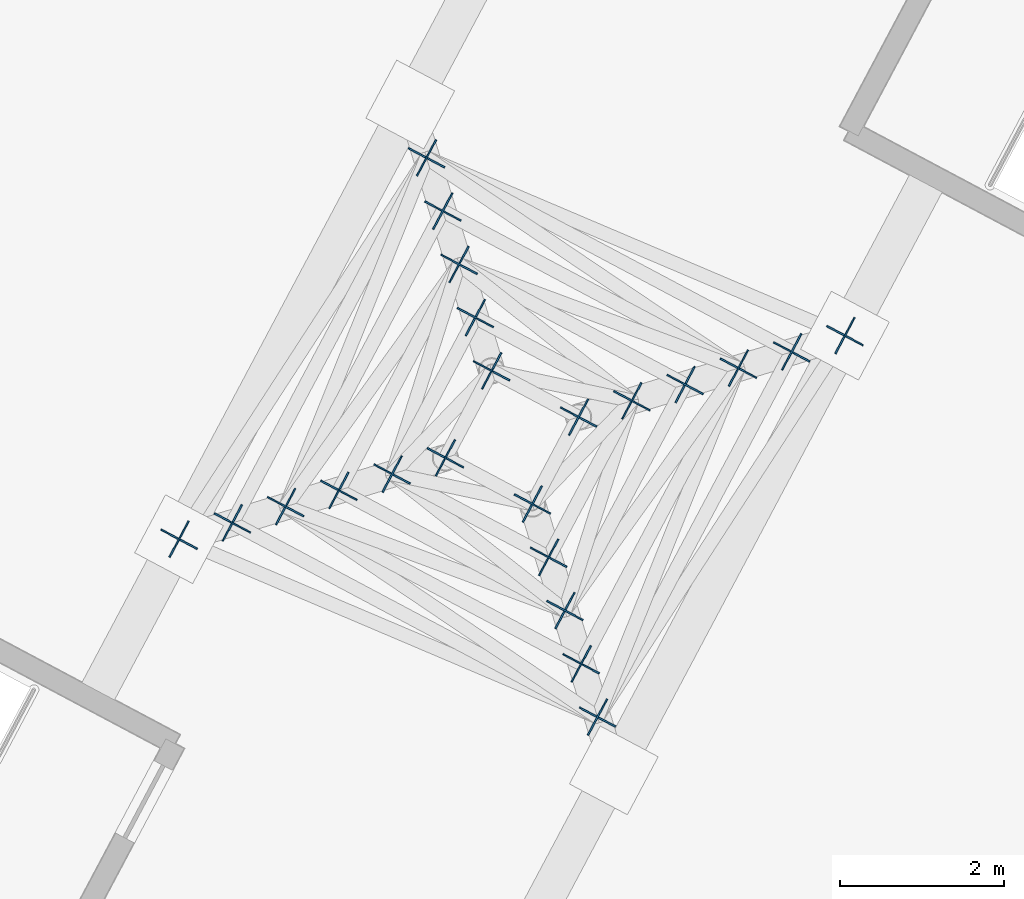
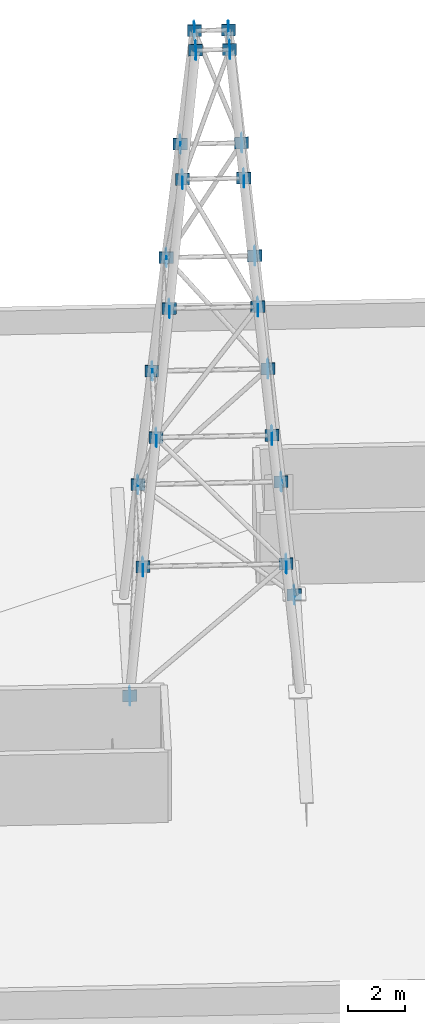
# One storey, part 3 of 5: 44 discrete accessories.
"""IFC4 building model written with IfcOpenShell, lengths in metres."""

from ifc_helpers import new_model, si_unit, direction, frame, origin, origin_2d, place, context, subcontext, project, spatial, rectangle, extrude, material, layer, layer_set, type_object, element, save


model = new_model("IFC4")

# Units and contexts
model_context = context("Model", 3, precision=1e-05, world=origin(), true_north=direction((0.0, 1.0)))
body_context = subcontext(model_context, "Body", "Model", "MODEL_VIEW")
ifc_project = project(units=[si_unit("LENGTHUNIT", "METRE"), si_unit("AREAUNIT", "SQUARE_METRE"), si_unit("VOLUMEUNIT", "CUBIC_METRE"), si_unit("PLANEANGLEUNIT", "RADIAN"), si_unit("MASSUNIT", "GRAM", prefix="KILO")], contexts=[model_context])

# Site, building, storey
site_placement = place(None, origin())
site = spatial("IfcSite", under=ifc_project, at=site_placement, CompositionType="ELEMENT")
building_placement = place(site_placement, origin())
building = spatial("IfcBuilding", under=site, at=building_placement, Name="Cormorant Relay Tower", CompositionType="ELEMENT")
storey_placement = place(building_placement, frame((0.0, 0.0, 357.60009765625)))
storey = spatial("IfcBuildingStorey", under=building, at=storey_placement, Name="RF", CompositionType="ELEMENT", Elevation=357.60009765625)

# Discrete accessories
ifc_material = material(Name="Steel ASTM A572 Grade 50 (Fy 345 MPa)", Category="steel")
ifc_layer = layer(ifc_material, 0.02001953125)
ifc_layer_set = layer_set([ifc_layer], Name="Gusset plate 20 mast node")
discrete_accessory_type = type_object("IfcDiscreteAccessoryType", Name="Gusset plate 20 mast node", PredefinedType="BRACKET", material=ifc_layer_set)
for number, where, z_axis, x_axis, name in (
    (1, (-31.4287109375, 13.313232421875, 0.949951171875), (0.0, 0.0, 1.0), (0.46931128749, 0.883032794088, 0.0), "Gusset plate MAST N01"),
    (2, (-31.4287109375, 13.313232421875, 0.949951171875), (0.0, 0.0, 1.0), (-0.882859083869, 0.469637986145, 0.0), "Gusset plate MAST N02"),
    (3, (-23.314208984375, 15.7939453125, 0.949951171875), (0.0, 0.0, 1.0), (-0.882859083869, 0.469637986145, 0.0), "Gusset plate MAST N03"),
    (4, (-23.314208984375, 15.7939453125, 0.949951171875), (0.0, 0.0, 1.0), (0.46931128749, 0.883032794088, 0.0), "Gusset plate MAST N04"),
    (5, (-30.779541015625, 13.51171875, 6.14990234375), (0.0, 0.0, 1.0), (0.469485432036, 0.882940218308, 0.0), "Gusset plate MAST N05"),
    (6, (-30.779541015625, 13.51171875, 6.14990234375), (0.0, 0.0, 1.0), (-0.882944315308, 0.469477726911, 0.0), "Gusset plate MAST N06"),
    (7, (-28.413330078125, 17.961669921875, 6.14990234375), (0.0, 0.0, 1.0), (-0.882872198291, 0.469613331885, 0.0), "Gusset plate MAST N07"),
    (8, (-28.413330078125, 17.961669921875, 6.14990234375), (0.0, 0.0, 1.0), (0.469339028551, 0.883018049803, 0.0), "Gusset plate MAST N08"),
    (9, (-26.329345703125, 11.1455078125, 6.14990234375), (0.0, 0.0, 1.0), (-0.88287301792, 0.469611790982, 0.0), "Gusset plate MAST N09"),
    (10, (-26.329345703125, 11.1455078125, 6.14990234375), (0.0, 0.0, 1.0), (0.469335946234, 0.8830196881, 0.0), "Gusset plate MAST N10"),
    (11, (-23.96337890625, 15.595703125, 6.14990234375), (0.0, 0.0, 1.0), (-0.88294841224, 0.469470021751, 0.0), "Gusset plate MAST N11"),
    (12, (-23.96337890625, 15.595703125, 6.14990234375), (0.0, 0.0, 1.0), (0.469462316555, 0.882952509105, 0.0), "Gusset plate MAST N12"),
    (13, (-30.13037109375, 13.710205078125, 11.349853515625), (0.0, 0.0, 1.0), (0.469636445264, 0.88285990354, 0.0), "Gusset plate MAST N13"),
    (14, (-30.13037109375, 13.710205078125, 11.349853515625), (0.0, 0.0, 1.0), (-0.883033613189, 0.469309746306, 0.0), "Gusset plate MAST N14"),
    (15, (-28.21484375, 17.3125, 11.349853515625), (0.0, 0.0, 1.0), (-0.882945954089, 0.469474644852, 0.0), "Gusset plate MAST N15"),
    (16, (-28.21484375, 17.3125, 11.349853515625), (0.0, 0.0, 1.0), (0.469456152372, 0.882955786549, 0.0), "Gusset plate MAST N16"),
    (17, (-26.52783203125, 11.794677734375, 11.349853515625), (0.0, 0.0, 1.0), (-0.882950870367, 0.469465398637, 0.0), "Gusset plate MAST N17"),
    (18, (-26.52783203125, 11.794677734375, 11.349853515625), (0.0, 0.0, 1.0), (0.469485432036, 0.882940218308, 0.0), "Gusset plate MAST N18"),
    (19, (-24.6123046875, 15.397216796875, 11.349853515625), (0.0, 0.0, 1.0), (-0.883033613189, 0.469309746306, 0.0), "Gusset plate MAST N19"),
    (20, (-24.6123046875, 15.397216796875, 11.349853515625), (0.0, 0.0, 1.0), (0.469636445264, 0.88285990354, 0.0), "Gusset plate MAST N20"),
    (21, (-29.481201171875, 13.90869140625, 16.5498046875), (0.0, 0.0, 1.0), (0.46945769342, 0.882954967192, 0.0), "Gusset plate MAST N21"),
    (22, (-29.481201171875, 13.90869140625, 16.5498046875), (0.0, 0.0, 1.0), (-0.882934482395, 0.469496219151, 0.0), "Gusset plate MAST N22"),
    (23, (-28.016357421875, 16.663330078125, 16.5498046875), (0.0, 0.0, 1.0), (-0.882841050414, 0.469671885154, 0.0), "Gusset plate MAST N23"),
    (24, (-28.016357421875, 16.663330078125, 16.5498046875), (0.0, 0.0, 1.0), (0.469266592582, 0.883056546936, 0.0), "Gusset plate MAST N24"),
    (25, (-26.726318359375, 12.44384765625, 16.5498046875), (0.0, 0.0, 1.0), (-0.88283695172, 0.469679589378, 0.0), "Gusset plate MAST N25"),
    (26, (-26.726318359375, 12.44384765625, 16.5498046875), (0.0, 0.0, 1.0), (0.469282004755, 0.883048356554, 0.0), "Gusset plate MAST N26"),
    (27, (-25.26171875, 15.198486328125, 16.5498046875), (0.0, 0.0, 1.0), (-0.882941037713, 0.469483891014, 0.0), "Gusset plate MAST N27"),
    (28, (-25.26171875, 15.198486328125, 16.5498046875), (0.0, 0.0, 1.0), (0.469483891014, 0.882941037713, 0.0), "Gusset plate MAST N28"),
    (29, (-28.83203125, 14.107177734375, 21.75), (0.0, 0.0, 1.0), (0.469739681095, 0.882804979599, 0.0), "Gusset plate MAST N29"),
    (30, (-28.83203125, 14.107177734375, 21.75), (0.0, 0.0, 1.0), (-0.88307210792, 0.46923730906, 0.0), "Gusset plate MAST N30"),
    (31, (-27.81787109375, 16.01416015625, 21.75), (0.0, 0.0, 1.0), (-0.882951689738, 0.469463857597, 0.0), "Gusset plate MAST N31"),
    (32, (-27.81787109375, 16.01416015625, 21.75), (0.0, 0.0, 1.0), (0.469499301171, 0.882932843539, 0.0), "Gusset plate MAST N32"),
    (33, (-26.9248046875, 13.093017578125, 21.75), (0.0, 0.0, 1.0), (-0.882942676516, 0.469480808966, 0.0), "Gusset plate MAST N33"),
    (34, (-26.9248046875, 13.093017578125, 21.75), (0.0, 0.0, 1.0), (0.469443823938, 0.882962341307, 0.0), "Gusset plate MAST N34"),
    (35, (-25.910888671875, 15.000244140625, 21.75), (0.0, 0.0, 1.0), (-0.883085211153, 0.469212648852, 0.0), "Gusset plate MAST N35"),
    (36, (-25.910888671875, 15.000244140625, 21.75), (0.0, 0.0, 1.0), (0.469727354766, 0.882811538316, 0.0), "Gusset plate MAST N36"),
    (37, (-28.182861328125, 14.305419921875, 26.949951171875), (0.0, 0.0, 1.0), (0.469406838086, 0.88298200455, 0.0), "Gusset plate MAST N37"),
    (38, (-28.182861328125, 14.305419921875, 26.949951171875), (0.0, 0.0, 1.0), (-0.88296316064, 0.469442282877, 0.0), "Gusset plate MAST N38"),
    (39, (-27.619384765625, 15.364990234375, 26.949951171875), (0.0, 0.0, 1.0), (-0.8827459434, 0.469850613931, 0.0), "Gusset plate MAST N39"),
    (40, (-27.619384765625, 15.364990234375, 26.949951171875), (0.0, 0.0, 1.0), (0.469087800933, 0.883151535704, 0.0), "Gusset plate MAST N40"),
    (41, (-27.123291015625, 13.7421875, 26.949951171875), (0.0, 0.0, 1.0), (-0.882747583482, 0.469847532563, 0.0), "Gusset plate MAST N41"),
    (42, (-27.123291015625, 13.7421875, 26.949951171875), (0.0, 0.0, 1.0), (0.469081635361, 0.883154810533, 0.0), "Gusset plate MAST N42"),
    (43, (-26.559814453125, 14.8017578125, 26.949951171875), (0.0, 0.0, 1.0), (-0.882947592859, 0.469471562786, 0.0), "Gusset plate MAST N43"),
    (44, (-26.559814453125, 14.8017578125, 26.949951171875), (0.0, 0.0, 1.0), (0.469507006196, 0.882928746351, 0.0), "Gusset plate MAST N44"),
):
    element("IfcDiscreteAccessory", number, at=place(storey_placement, frame(where, z_axis=z_axis, x_axis=x_axis)), inside=storey, type_object=discrete_accessory_type, Name=name, PredefinedType="BRACKET", context=body_context, shape_type="SweptSolid", body=[
        extrude(rectangle(XDim=0.5, YDim=0.02001953125, at=origin_2d()), origin(), (0.0, 0.0, 1.0), 0.5),
    ])

save(model, "model.ifc")
